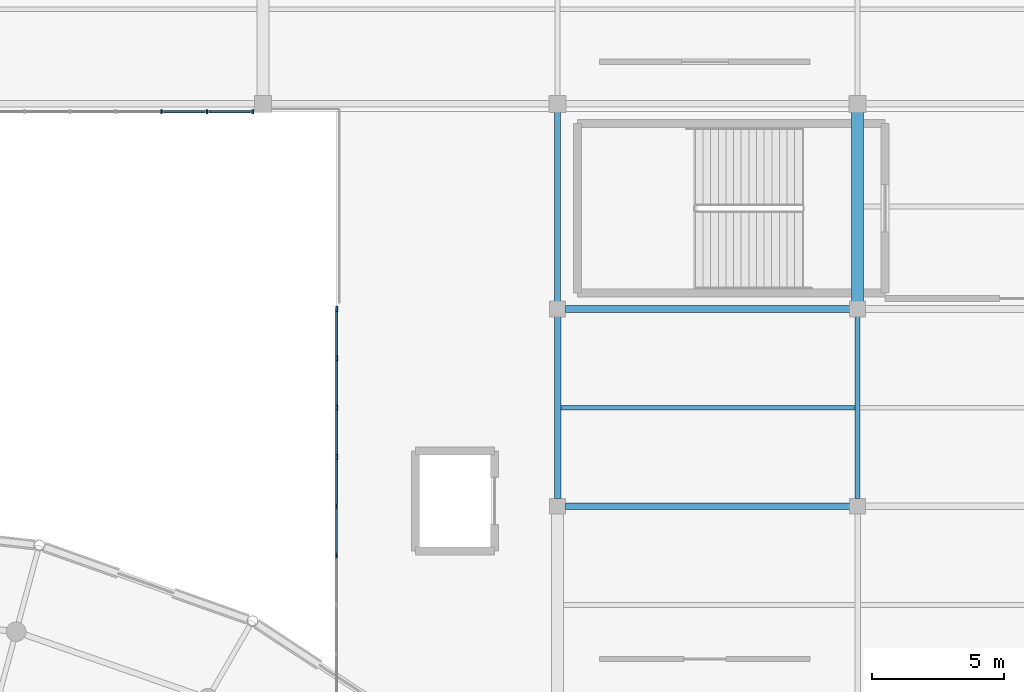
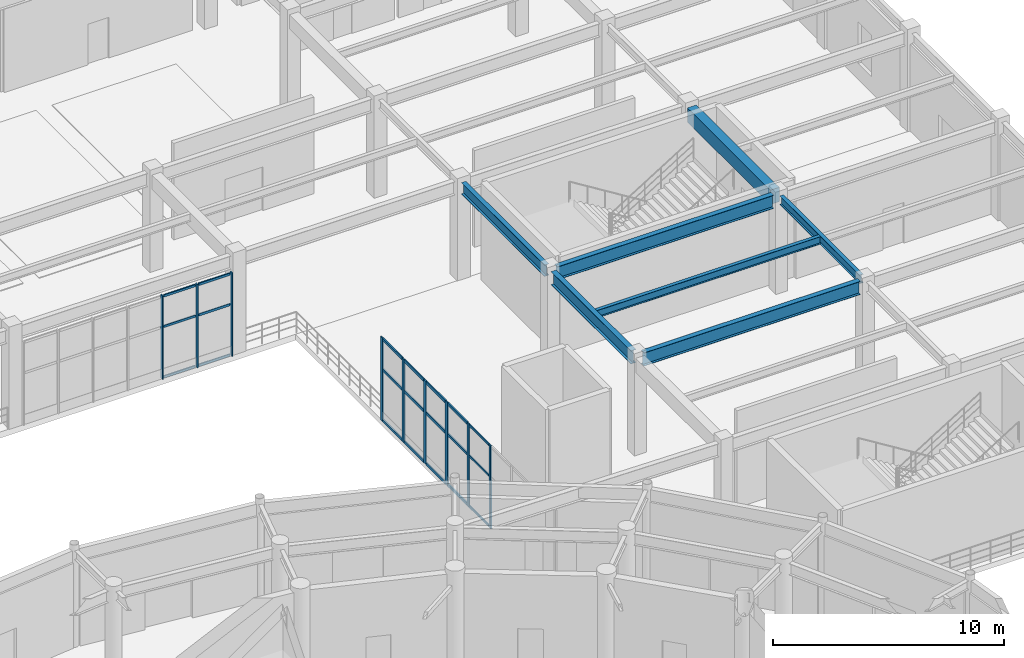
# One storey, part 37 of 93: 30 members, 7 beams, 3 elements without a shape of their own.
"""IFC4 building model written with IfcOpenShell, lengths in metres."""

from ifc_helpers import new_model, si_unit, direction, frame, origin, origin_2d, place, context, subcontext, project, spatial, rectangle, i_section, extrude, material, material_profile, profile_set, type_object, element, aggregate, save


model = new_model("IFC4")

# Units and contexts
model_context = context("Model", 3, precision=1e-05, world=origin(), true_north=direction((0.0, 1.0)))
body_context = subcontext(model_context, "Body", "Model", "MODEL_VIEW")
ifc_project = project(units=[si_unit("LENGTHUNIT", "METRE"), si_unit("AREAUNIT", "SQUARE_METRE"), si_unit("VOLUMEUNIT", "CUBIC_METRE"), si_unit("PLANEANGLEUNIT", "RADIAN"), si_unit("MASSUNIT", "GRAM", prefix="KILO")], contexts=[model_context])

# Site, building, storey
site_placement = place(None, origin())
site = spatial("IfcSite", under=ifc_project, at=site_placement, CompositionType="ELEMENT")
building_placement = place(site_placement, origin())
building = spatial("IfcBuilding", under=site, at=building_placement, Name="Cinderbank Siding Concert Hall", CompositionType="ELEMENT")
storey_placement = place(building_placement, origin())
storey = spatial("IfcBuildingStorey", under=building, at=storey_placement, Name="L01", CompositionType="ELEMENT", Elevation=0.0)

# Beams
ifc_material_1 = material(Name="Reinforced concrete AS 3600 N50 (50 MPa)", Category="concrete")
ifc_material_profile_1 = material_profile(ifc_material_1, rectangle(XDim=0.449951171875, YDim=0.75, at=origin_2d()), Name="RC-BM-450x750", Category="LoadBearing")
ifc_profile_set_1 = profile_set([ifc_material_profile_1], Name="Reinforced concrete AS 3600 N50 (50 MPa)")
beam_type_1 = type_object("IfcBeamType", Name="BM-RC750 RC-BM-450x750", PredefinedType="BEAM", material=ifc_profile_set_1)
beam_1_placement = place(storey_placement, frame((161.800048828125, 81.092041015625, 4.7470703125), z_axis=(0.0, 1.0, 0.0), x_axis=(-1.0, 0.0, 0.0)))
element("IfcBeam", 1, at=beam_1_placement, inside=storey, type_object=beam_type_1, Name="L01 Beam BM-RC750 #1417", PredefinedType="BEAM", context=body_context, shape_type="SweptSolid", body=[
    extrude(rectangle(XDim=0.449951171875, YDim=0.75, at=origin_2d()), origin(), (0.0, 0.0, 1.0), 7.19091796875),
])
ifc_material_2 = material(Name="Structural steel AS/NZS 3679.1 Grade 350 (340 MPa)", Category="steel")
ifc_material_profile_2 = material_profile(ifc_material_2, i_section(OverallWidth=0.18994140625, OverallDepth=0.45751953125, WebThickness=0.009033203125, FlangeThickness=0.014404296875, at=origin_2d()), Name="460UB74.6", Category="LoadBearing")
ifc_profile_set_2 = profile_set([ifc_material_profile_2], Name="Structural steel AS/NZS 3679.1 Grade 350 (340 MPa)")
beam_type_2 = type_object("IfcBeamType", Name="BM-UB460 460UB74.6", PredefinedType="BEAM", material=ifc_profile_set_2)
beam_2_placement = place(storey_placement, frame((161.800048828125, 73.592041015625, 4.913330078125), z_axis=(0.0, 1.0, 0.0), x_axis=(-1.0, 0.0, 0.0)))
element("IfcBeam", 2, at=beam_2_placement, inside=storey, type_object=beam_type_2, Name="L01 Beam BM-UB460 #1415", PredefinedType="BEAM", context=body_context, shape_type="SweptSolid", body=[
    extrude(i_section(OverallWidth=0.18994140625, OverallDepth=0.45751953125, WebThickness=0.009033203125, FlangeThickness=0.014404296875, at=origin_2d()), origin(), (0.0, 0.0, 1.0), 6.916015625),
])
ifc_material_profile_3 = material_profile(ifc_material_2, i_section(OverallWidth=0.22802734375, OverallDepth=0.602294921875, WebThickness=0.010498046875, FlangeThickness=0.014892578125, at=origin_2d()), Name="610UB101", Category="LoadBearing")
ifc_profile_set_3 = profile_set([ifc_material_profile_3], Name="Structural steel AS/NZS 3679.1 Grade 350 (340 MPa)")
beam_type_3 = type_object("IfcBeamType", Name="BM-UB610 610UB101", PredefinedType="BEAM", material=ifc_profile_set_3)
beam_3_placement = place(storey_placement, frame((150.39990234375, 81.092041015625, 4.82080078125), z_axis=(0.0, 1.0, 0.0), x_axis=(-1.0, 0.0, 0.0)))
element("IfcBeam", 3, at=beam_3_placement, inside=storey, type_object=beam_type_3, Name="L01 Beam BM-UB610 #1411", PredefinedType="BEAM", context=body_context, shape_type="SweptSolid", body=[
    extrude(i_section(OverallWidth=0.22802734375, OverallDepth=0.602294921875, WebThickness=0.010498046875, FlangeThickness=0.014892578125, at=origin_2d()), origin(), (0.0, 0.0, 1.0), 7.19091796875),
])
ifc_material_3 = material(Name="Structural steel welded plate section AS/NZS 3679.2 / AS/NZS 3678 Grade 350 (340 MPa)", Category="steel")
ifc_material_profile_4 = material_profile(ifc_material_3, i_section(OverallWidth=0.25, OverallDepth=0.699951171875, WebThickness=0.010009765625, FlangeThickness=0.01611328125, at=origin_2d()), Name="700WB130", Category="LoadBearing")
ifc_profile_set_4 = profile_set([ifc_material_profile_4], Name="Structural steel welded plate section AS/NZS 3679.2 / AS/NZS 3678 Grade 350 (340 MPa)")
beam_type_4 = type_object("IfcBeamType", Name="BM-WB700 700WB130", PredefinedType="BEAM", material=ifc_profile_set_4)
beam_4_placement = place(storey_placement, frame((150.69189453125, 73.300048828125, 4.7919921875), z_axis=(1.0, 0.0, 0.0), x_axis=(0.0, 1.0, 0.0)))
element("IfcBeam", 4, at=beam_4_placement, inside=storey, type_object=beam_type_4, Name="L01 Beam BM-WB700 #1408", PredefinedType="BEAM", context=body_context, shape_type="SweptSolid", body=[
    extrude(i_section(OverallWidth=0.25, OverallDepth=0.699951171875, WebThickness=0.010009765625, FlangeThickness=0.01611328125, at=origin_2d()), origin(), (0.0, 0.0, 1.0), 10.816162109375),
])
beam_5_placement = place(storey_placement, frame((150.39990234375, 73.592041015625, 4.7919921875), z_axis=(0.0, 1.0, 0.0), x_axis=(-1.0, 0.0, 0.0)))
element("IfcBeam", 5, at=beam_5_placement, inside=storey, type_object=beam_type_4, Name="L01 Beam BM-WB700 #1409", PredefinedType="BEAM", context=body_context, shape_type="SweptSolid", body=[
    extrude(i_section(OverallWidth=0.25, OverallDepth=0.699951171875, WebThickness=0.010009765625, FlangeThickness=0.01611328125, at=origin_2d()), origin(), (0.0, 0.0, 1.0), 6.916015625),
])
beam_6_placement = place(storey_placement, frame((150.69189453125, 80.800048828125, 4.7919921875), z_axis=(1.0, 0.0, 0.0), x_axis=(0.0, 1.0, 0.0)))
element("IfcBeam", 6, at=beam_6_placement, inside=storey, type_object=beam_type_4, Name="L01 Beam BM-WB700 #1410", PredefinedType="BEAM", context=body_context, shape_type="SweptSolid", body=[
    extrude(i_section(OverallWidth=0.25, OverallDepth=0.699951171875, WebThickness=0.010009765625, FlangeThickness=0.01611328125, at=origin_2d()), origin(), (0.0, 0.0, 1.0), 10.816162109375),
])

# Curtain wall, members
ifc_material_4 = material(Name="Anodised aluminium alloy 6063-T6", Category="aluminium")
curtain_wall_type = type_object("IfcCurtainWallType", Name="CW-16 Unitised Acoustic Curtain Wall 9200x3800", PredefinedType="NOTDEFINED", material=ifc_material_4)
curtain_wall_1_placement = place(storey_placement, origin())
curtain_wall_1 = element("IfcCurtainWall", 7, at=curtain_wall_1_placement, inside=storey, type_object=curtain_wall_type, Name="L01 Curtain Wall CW-16 #144", PredefinedType="NOTDEFINED")
ifc_material_profile_5 = material_profile(ifc_material_4, rectangle(XDim=0.06005859375, YDim=0.159912109375, at=origin_2d()), Name="ALU-MULL-60x160", Category="LoadBearing")
ifc_profile_set_5 = profile_set([ifc_material_profile_5], Name="Anodised aluminium alloy 6063-T6")
member_type_1 = type_object("IfcMemberType", Name="CW-ML1 Mullion 60x160", PredefinedType="MULLION", material=ifc_profile_set_5)
member_1_placement = place(storey_placement, frame((142.0, 71.425048828125, 0.0), z_axis=(0.0, 0.0, 1.0), x_axis=(1.0, 0.0, 0.0)))
member_1 = element("IfcMember", 8, at=member_1_placement, type_object=member_type_1, Name="CW-L01-144 Mullion 3", PredefinedType="MULLION", context=body_context, shape_type="SweptSolid", body=[
    extrude(rectangle(XDim=0.06005859375, YDim=0.159912109375, at=origin_2d()), origin(), (0.0, 0.0, 1.0), 4.39990234375),
])
member_2_placement = place(storey_placement, frame((142.0, 73.300048828125, 0.0), z_axis=(0.0, 0.0, 1.0), x_axis=(1.0, 0.0, 0.0)))
member_2 = element("IfcMember", 9, at=member_2_placement, type_object=member_type_1, Name="CW-L01-144 Mullion 4", PredefinedType="MULLION", context=body_context, shape_type="SweptSolid", body=[
    extrude(rectangle(XDim=0.06005859375, YDim=0.159912109375, at=origin_2d()), origin(), (0.0, 0.0, 1.0), 4.39990234375),
])

curtain_wall_2_placement = place(storey_placement, origin())
curtain_wall_2 = element("IfcCurtainWall", 10, at=curtain_wall_2_placement, inside=storey, type_object=curtain_wall_type, Name="L01 Curtain Wall CW-16 #150", PredefinedType="NOTDEFINED")
member_3_placement = place(storey_placement, frame((135.336669921875, 88.300048828125, 0.0), z_axis=(0.0, 0.0, 1.0), x_axis=(1.0, 0.0, 0.0)))
member_3 = element("IfcMember", 11, at=member_3_placement, type_object=member_type_1, Name="CW-L01-150 Mullion 4", PredefinedType="MULLION", context=body_context, shape_type="SweptSolid", body=[
    extrude(rectangle(XDim=0.06005859375, YDim=0.159912109375, at=origin_2d()), origin(), (0.0, 0.0, 1.0), 4.39990234375),
])
member_4_placement = place(storey_placement, frame((137.0732421875, 88.300048828125, 0.0), z_axis=(0.0, 0.0, 1.0), x_axis=(1.0, 0.0, 0.0)))
member_4 = element("IfcMember", 12, at=member_4_placement, type_object=member_type_1, Name="CW-L01-150 Mullion 5", PredefinedType="MULLION", context=body_context, shape_type="SweptSolid", body=[
    extrude(rectangle(XDim=0.06005859375, YDim=0.159912109375, at=origin_2d()), origin(), (0.0, 0.0, 1.0), 4.39990234375),
])
member_5_placement = place(storey_placement, frame((138.81005859375, 88.300048828125, 0.0), z_axis=(0.0, 0.0, 1.0), x_axis=(1.0, 0.0, 0.0)))
member_5 = element("IfcMember", 13, at=member_5_placement, type_object=member_type_1, Name="CW-L01-150 Mullion 6", PredefinedType="MULLION", context=body_context, shape_type="SweptSolid", body=[
    extrude(rectangle(XDim=0.06005859375, YDim=0.159912109375, at=origin_2d()), origin(), (0.0, 0.0, 1.0), 4.39990234375),
])

curtain_wall_3_placement = place(storey_placement, origin())
curtain_wall_3 = element("IfcCurtainWall", 14, at=curtain_wall_3_placement, inside=storey, type_object=curtain_wall_type, Name="L01 Curtain Wall CW-16 #145", PredefinedType="NOTDEFINED")
ifc_material_profile_6 = material_profile(ifc_material_4, rectangle(XDim=0.06494140625, YDim=0.199951171875, at=origin_2d()), Name="ALU-MULL-65x200", Category="LoadBearing")
ifc_profile_set_6 = profile_set([ifc_material_profile_6], Name="Anodised aluminium alloy 6063-T6")
member_type_2 = type_object("IfcMemberType", Name="CW-ML2 Mullion 65x200", PredefinedType="MULLION", material=ifc_profile_set_6)
member_6_placement = place(storey_placement, frame((142.0, 75.175048828125, 0.0), z_axis=(0.0, 0.0, 1.0), x_axis=(1.0, 0.0, 0.0)))
member_6 = element("IfcMember", 15, at=member_6_placement, type_object=member_type_2, Name="CW-L01-145 Mullion 1", PredefinedType="MULLION", context=body_context, shape_type="SweptSolid", body=[
    extrude(rectangle(XDim=0.06494140625, YDim=0.199951171875, at=origin_2d()), origin(), (0.0, 0.0, 1.0), 4.39990234375),
])
member_7_placement = place(storey_placement, frame((142.0, 77.050048828125, 0.0), z_axis=(0.0, 0.0, 1.0), x_axis=(1.0, 0.0, 0.0)))
member_7 = element("IfcMember", 16, at=member_7_placement, type_object=member_type_2, Name="CW-L01-145 Mullion 2", PredefinedType="MULLION", context=body_context, shape_type="SweptSolid", body=[
    extrude(rectangle(XDim=0.06494140625, YDim=0.199951171875, at=origin_2d()), origin(), (0.0, 0.0, 1.0), 4.39990234375),
])
member_8_placement = place(storey_placement, frame((142.0, 78.925048828125, 0.0), z_axis=(0.0, 0.0, 1.0), x_axis=(1.0, 0.0, 0.0)))
member_8 = element("IfcMember", 17, at=member_8_placement, type_object=member_type_2, Name="CW-L01-145 Mullion 3", PredefinedType="MULLION", context=body_context, shape_type="SweptSolid", body=[
    extrude(rectangle(XDim=0.06494140625, YDim=0.199951171875, at=origin_2d()), origin(), (0.0, 0.0, 1.0), 4.39990234375),
])
member_9_placement = place(storey_placement, frame((142.0, 80.800048828125, 0.0), z_axis=(0.0, 0.0, 1.0), x_axis=(1.0, 0.0, 0.0)))
member_9 = element("IfcMember", 18, at=member_9_placement, type_object=member_type_2, Name="CW-L01-145 Mullion 4", PredefinedType="MULLION", context=body_context, shape_type="SweptSolid", body=[
    extrude(rectangle(XDim=0.06494140625, YDim=0.199951171875, at=origin_2d()), origin(), (0.0, 0.0, 1.0), 4.39990234375),
])

# Member
ifc_material_profile_7 = material_profile(ifc_material_4, rectangle(XDim=0.06005859375, YDim=0.1201171875, at=origin_2d()), Name="ALU-TRAN-60x120", Category="LoadBearing")
ifc_profile_set_7 = profile_set([ifc_material_profile_7], Name="Anodised aluminium alloy 6063-T6")
member_type_3 = type_object("IfcMemberType", Name="CW-TR1 Transom 60x120", PredefinedType="USERDEFINED", material=ifc_profile_set_7)
member_10_placement = place(storey_placement, frame((142.0, 71.518798828125, 0.06005859375), z_axis=(0.0, 1.0, 0.0), x_axis=(-1.0, 0.0, 0.0)))
member_10 = element("IfcMember", 19, at=member_10_placement, type_object=member_type_3, Name="CW-L01-144 Transom 3-0", ObjectType="TRANSOM", PredefinedType="USERDEFINED", context=body_context, shape_type="SweptSolid", body=[
    extrude(rectangle(XDim=0.06005859375, YDim=0.1201171875, at=origin_2d()), origin(), (0.0, 0.0, 1.0), 1.6875),
])

member_11_placement = place(storey_placement, frame((142.0, 71.518798828125, 2.72802734375), z_axis=(0.0, 1.0, 0.0), x_axis=(-1.0, 0.0, 0.0)))
member_11 = element("IfcMember", 20, at=member_11_placement, type_object=member_type_3, Name="CW-L01-144 Transom 3-1", ObjectType="TRANSOM", PredefinedType="USERDEFINED", context=body_context, shape_type="SweptSolid", body=[
    extrude(rectangle(XDim=0.06005859375, YDim=0.1201171875, at=origin_2d()), origin(), (0.0, 0.0, 1.0), 1.6875),
])

member_12_placement = place(storey_placement, frame((142.0, 71.518798828125, 4.340087890625), z_axis=(0.0, 1.0, 0.0), x_axis=(-1.0, 0.0, 0.0)))
member_12 = element("IfcMember", 21, at=member_12_placement, type_object=member_type_3, Name="CW-L01-144 Transom 3-2", ObjectType="TRANSOM", PredefinedType="USERDEFINED", context=body_context, shape_type="SweptSolid", body=[
    extrude(rectangle(XDim=0.06005859375, YDim=0.1201171875, at=origin_2d()), origin(), (0.0, 0.0, 1.0), 1.6875),
])

aggregate(curtain_wall_1, [member_1, member_2, member_10, member_11, member_12])

member_13_placement = place(storey_placement, frame((135.423583984375, 88.300048828125, 0.06005859375), z_axis=(1.0, 0.0, 0.0), x_axis=(0.0, 1.0, 0.0)))
member_13 = element("IfcMember", 22, at=member_13_placement, type_object=member_type_3, Name="CW-L01-150 Transom 4-0", ObjectType="TRANSOM", PredefinedType="USERDEFINED", context=body_context, shape_type="SweptSolid", body=[
    extrude(rectangle(XDim=0.06005859375, YDim=0.1201171875, at=origin_2d()), origin(), (0.0, 0.0, 1.0), 1.56298828125),
])

member_14_placement = place(storey_placement, frame((135.423583984375, 88.300048828125, 2.72802734375), z_axis=(1.0, 0.0, 0.0), x_axis=(0.0, 1.0, 0.0)))
member_14 = element("IfcMember", 23, at=member_14_placement, type_object=member_type_3, Name="CW-L01-150 Transom 4-1", ObjectType="TRANSOM", PredefinedType="USERDEFINED", context=body_context, shape_type="SweptSolid", body=[
    extrude(rectangle(XDim=0.06005859375, YDim=0.1201171875, at=origin_2d()), origin(), (0.0, 0.0, 1.0), 1.56298828125),
])

member_15_placement = place(storey_placement, frame((135.423583984375, 88.300048828125, 4.340087890625), z_axis=(1.0, 0.0, 0.0), x_axis=(0.0, 1.0, 0.0)))
member_15 = element("IfcMember", 24, at=member_15_placement, type_object=member_type_3, Name="CW-L01-150 Transom 4-2", ObjectType="TRANSOM", PredefinedType="USERDEFINED", context=body_context, shape_type="SweptSolid", body=[
    extrude(rectangle(XDim=0.06005859375, YDim=0.1201171875, at=origin_2d()), origin(), (0.0, 0.0, 1.0), 1.56298828125),
])

member_16_placement = place(storey_placement, frame((137.16015625, 88.300048828125, 0.06005859375), z_axis=(1.0, 0.0, 0.0), x_axis=(0.0, 1.0, 0.0)))
member_16 = element("IfcMember", 25, at=member_16_placement, type_object=member_type_3, Name="CW-L01-150 Transom 5-0", ObjectType="TRANSOM", PredefinedType="USERDEFINED", context=body_context, shape_type="SweptSolid", body=[
    extrude(rectangle(XDim=0.06005859375, YDim=0.1201171875, at=origin_2d()), origin(), (0.0, 0.0, 1.0), 1.56298828125),
])

member_17_placement = place(storey_placement, frame((137.16015625, 88.300048828125, 2.72802734375), z_axis=(1.0, 0.0, 0.0), x_axis=(0.0, 1.0, 0.0)))
member_17 = element("IfcMember", 26, at=member_17_placement, type_object=member_type_3, Name="CW-L01-150 Transom 5-1", ObjectType="TRANSOM", PredefinedType="USERDEFINED", context=body_context, shape_type="SweptSolid", body=[
    extrude(rectangle(XDim=0.06005859375, YDim=0.1201171875, at=origin_2d()), origin(), (0.0, 0.0, 1.0), 1.56298828125),
])

member_18_placement = place(storey_placement, frame((137.16015625, 88.300048828125, 4.340087890625), z_axis=(1.0, 0.0, 0.0), x_axis=(0.0, 1.0, 0.0)))
member_18 = element("IfcMember", 27, at=member_18_placement, type_object=member_type_3, Name="CW-L01-150 Transom 5-2", ObjectType="TRANSOM", PredefinedType="USERDEFINED", context=body_context, shape_type="SweptSolid", body=[
    extrude(rectangle(XDim=0.06005859375, YDim=0.1201171875, at=origin_2d()), origin(), (0.0, 0.0, 1.0), 1.56298828125),
])

aggregate(curtain_wall_2, [member_3, member_4, member_5, member_13, member_14, member_15, member_16, member_17, member_18])

ifc_material_profile_8 = material_profile(ifc_material_4, rectangle(XDim=0.06494140625, YDim=0.14990234375, at=origin_2d()), Name="ALU-TRAN-65x150", Category="LoadBearing")
ifc_profile_set_8 = profile_set([ifc_material_profile_8], Name="Anodised aluminium alloy 6063-T6")
member_type_4 = type_object("IfcMemberType", Name="CW-TR2 Transom 65x150", PredefinedType="USERDEFINED", material=ifc_profile_set_8)
member_19_placement = place(storey_placement, frame((142.0, 73.393798828125, 0.06005859375), z_axis=(0.0, 1.0, 0.0), x_axis=(-1.0, 0.0, 0.0)))
member_19 = element("IfcMember", 28, at=member_19_placement, type_object=member_type_4, Name="CW-L01-145 Transom 0-0", ObjectType="TRANSOM", PredefinedType="USERDEFINED", context=body_context, shape_type="SweptSolid", body=[
    extrude(rectangle(XDim=0.06494140625, YDim=0.14990234375, at=origin_2d()), origin(), (0.0, 0.0, 1.0), 1.6875),
])

member_20_placement = place(storey_placement, frame((142.0, 73.393798828125, 2.72802734375), z_axis=(0.0, 1.0, 0.0), x_axis=(-1.0, 0.0, 0.0)))
member_20 = element("IfcMember", 29, at=member_20_placement, type_object=member_type_4, Name="CW-L01-145 Transom 0-1", ObjectType="TRANSOM", PredefinedType="USERDEFINED", context=body_context, shape_type="SweptSolid", body=[
    extrude(rectangle(XDim=0.06494140625, YDim=0.14990234375, at=origin_2d()), origin(), (0.0, 0.0, 1.0), 1.6875),
])

member_21_placement = place(storey_placement, frame((142.0, 73.393798828125, 4.340087890625), z_axis=(0.0, 1.0, 0.0), x_axis=(-1.0, 0.0, 0.0)))
member_21 = element("IfcMember", 30, at=member_21_placement, type_object=member_type_4, Name="CW-L01-145 Transom 0-2", ObjectType="TRANSOM", PredefinedType="USERDEFINED", context=body_context, shape_type="SweptSolid", body=[
    extrude(rectangle(XDim=0.06494140625, YDim=0.14990234375, at=origin_2d()), origin(), (0.0, 0.0, 1.0), 1.6875),
])

member_22_placement = place(storey_placement, frame((142.0, 75.268798828125, 0.06005859375), z_axis=(0.0, 1.0, 0.0), x_axis=(-1.0, 0.0, 0.0)))
member_22 = element("IfcMember", 31, at=member_22_placement, type_object=member_type_4, Name="CW-L01-145 Transom 1-0", ObjectType="TRANSOM", PredefinedType="USERDEFINED", context=body_context, shape_type="SweptSolid", body=[
    extrude(rectangle(XDim=0.06494140625, YDim=0.14990234375, at=origin_2d()), origin(), (0.0, 0.0, 1.0), 1.6875),
])

member_23_placement = place(storey_placement, frame((142.0, 75.268798828125, 2.72802734375), z_axis=(0.0, 1.0, 0.0), x_axis=(-1.0, 0.0, 0.0)))
member_23 = element("IfcMember", 32, at=member_23_placement, type_object=member_type_4, Name="CW-L01-145 Transom 1-1", ObjectType="TRANSOM", PredefinedType="USERDEFINED", context=body_context, shape_type="SweptSolid", body=[
    extrude(rectangle(XDim=0.06494140625, YDim=0.14990234375, at=origin_2d()), origin(), (0.0, 0.0, 1.0), 1.6875),
])

member_24_placement = place(storey_placement, frame((142.0, 75.268798828125, 4.340087890625), z_axis=(0.0, 1.0, 0.0), x_axis=(-1.0, 0.0, 0.0)))
member_24 = element("IfcMember", 33, at=member_24_placement, type_object=member_type_4, Name="CW-L01-145 Transom 1-2", ObjectType="TRANSOM", PredefinedType="USERDEFINED", context=body_context, shape_type="SweptSolid", body=[
    extrude(rectangle(XDim=0.06494140625, YDim=0.14990234375, at=origin_2d()), origin(), (0.0, 0.0, 1.0), 1.6875),
])

member_25_placement = place(storey_placement, frame((142.0, 77.143798828125, 0.06005859375), z_axis=(0.0, 1.0, 0.0), x_axis=(-1.0, 0.0, 0.0)))
member_25 = element("IfcMember", 34, at=member_25_placement, type_object=member_type_4, Name="CW-L01-145 Transom 2-0", ObjectType="TRANSOM", PredefinedType="USERDEFINED", context=body_context, shape_type="SweptSolid", body=[
    extrude(rectangle(XDim=0.06494140625, YDim=0.14990234375, at=origin_2d()), origin(), (0.0, 0.0, 1.0), 1.6875),
])

member_26_placement = place(storey_placement, frame((142.0, 77.143798828125, 2.72802734375), z_axis=(0.0, 1.0, 0.0), x_axis=(-1.0, 0.0, 0.0)))
member_26 = element("IfcMember", 35, at=member_26_placement, type_object=member_type_4, Name="CW-L01-145 Transom 2-1", ObjectType="TRANSOM", PredefinedType="USERDEFINED", context=body_context, shape_type="SweptSolid", body=[
    extrude(rectangle(XDim=0.06494140625, YDim=0.14990234375, at=origin_2d()), origin(), (0.0, 0.0, 1.0), 1.6875),
])

member_27_placement = place(storey_placement, frame((142.0, 77.143798828125, 4.340087890625), z_axis=(0.0, 1.0, 0.0), x_axis=(-1.0, 0.0, 0.0)))
member_27 = element("IfcMember", 36, at=member_27_placement, type_object=member_type_4, Name="CW-L01-145 Transom 2-2", ObjectType="TRANSOM", PredefinedType="USERDEFINED", context=body_context, shape_type="SweptSolid", body=[
    extrude(rectangle(XDim=0.06494140625, YDim=0.14990234375, at=origin_2d()), origin(), (0.0, 0.0, 1.0), 1.6875),
])

member_28_placement = place(storey_placement, frame((142.0, 79.018798828125, 0.06005859375), z_axis=(0.0, 1.0, 0.0), x_axis=(-1.0, 0.0, 0.0)))
member_28 = element("IfcMember", 37, at=member_28_placement, type_object=member_type_4, Name="CW-L01-145 Transom 3-0", ObjectType="TRANSOM", PredefinedType="USERDEFINED", context=body_context, shape_type="SweptSolid", body=[
    extrude(rectangle(XDim=0.06494140625, YDim=0.14990234375, at=origin_2d()), origin(), (0.0, 0.0, 1.0), 1.6875),
])

member_29_placement = place(storey_placement, frame((142.0, 79.018798828125, 2.72802734375), z_axis=(0.0, 1.0, 0.0), x_axis=(-1.0, 0.0, 0.0)))
member_29 = element("IfcMember", 38, at=member_29_placement, type_object=member_type_4, Name="CW-L01-145 Transom 3-1", ObjectType="TRANSOM", PredefinedType="USERDEFINED", context=body_context, shape_type="SweptSolid", body=[
    extrude(rectangle(XDim=0.06494140625, YDim=0.14990234375, at=origin_2d()), origin(), (0.0, 0.0, 1.0), 1.6875),
])

member_30_placement = place(storey_placement, frame((142.0, 79.018798828125, 4.340087890625), z_axis=(0.0, 1.0, 0.0), x_axis=(-1.0, 0.0, 0.0)))
member_30 = element("IfcMember", 39, at=member_30_placement, type_object=member_type_4, Name="CW-L01-145 Transom 3-2", ObjectType="TRANSOM", PredefinedType="USERDEFINED", context=body_context, shape_type="SweptSolid", body=[
    extrude(rectangle(XDim=0.06494140625, YDim=0.14990234375, at=origin_2d()), origin(), (0.0, 0.0, 1.0), 1.6875),
])

aggregate(curtain_wall_3, [member_6, member_7, member_8, member_9, member_19, member_20, member_21, member_22, member_23, member_24, member_25, member_26, member_27, member_28, member_29, member_30])

# Beam
ifc_material_profile_9 = material_profile(ifc_material_2, i_section(OverallWidth=0.177978515625, OverallDepth=0.402587890625, WebThickness=0.007568359375, FlangeThickness=0.010986328125, at=origin_2d()), Name="410UB53.7", Category="LoadBearing")
ifc_profile_set_9 = profile_set([ifc_material_profile_9], Name="Structural steel AS/NZS 3679.1 Grade 350 (340 MPa)")
beam_type_5 = type_object("IfcBeamType", Name="JS-UB410 410UB53.7", PredefinedType="JOIST", material=ifc_profile_set_9)
beam_7_placement = place(storey_placement, frame((150.51708984375, 77.050048828125, 4.940673828125), z_axis=(1.0, 0.0, 0.0), x_axis=(0.0, 1.0, 0.0)))
element("IfcBeam", 40, at=beam_7_placement, inside=storey, type_object=beam_type_5, Name="L01 Beam JS-UB410 #1479", PredefinedType="JOIST", context=body_context, shape_type="SweptSolid", body=[
    extrude(i_section(OverallWidth=0.177978515625, OverallDepth=0.402587890625, WebThickness=0.007568359375, FlangeThickness=0.010986328125, at=origin_2d()), origin(), (0.0, 0.0, 1.0), 11.19580078125),
])

save(model, "model.ifc")
